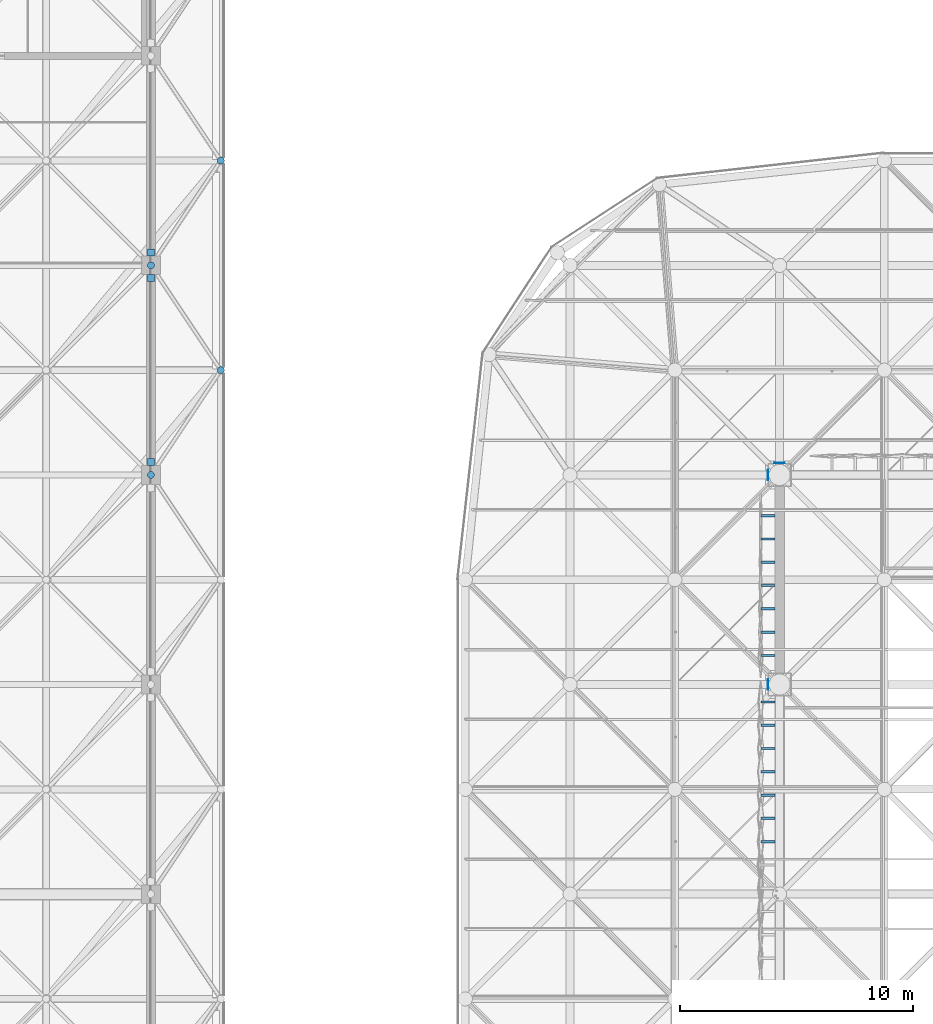
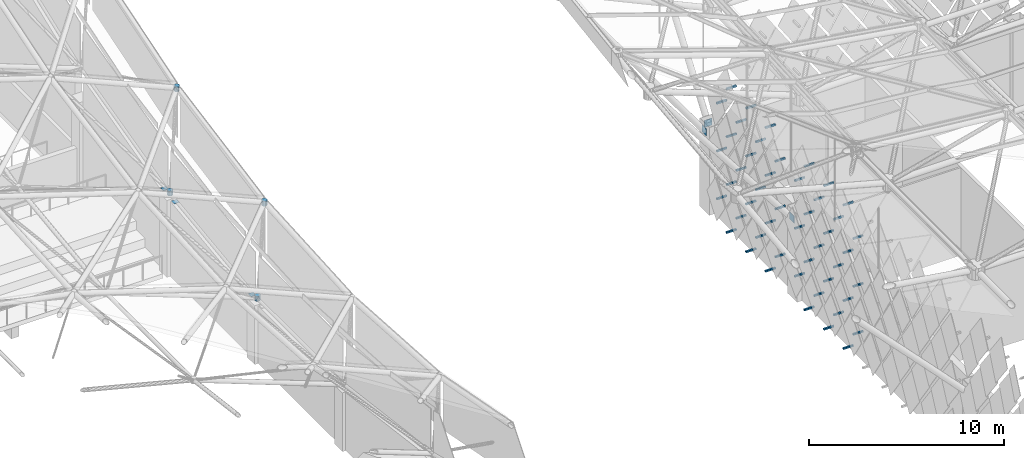
# One storey, part 382 of 437: 58 discrete accessories.
"""IFC4 building model written with IfcOpenShell, lengths in metres."""

from ifc_helpers import new_model, si_unit, direction, frame, origin, origin_2d, place, context, subcontext, project, spatial, polyline, rectangle, outline, extrude, material, layer, layer_set, type_object, element, save


model = new_model("IFC4")

# Units and contexts
model_context = context("Model", 3, precision=1e-05, world=origin(), true_north=direction((0.0, 1.0)))
body_context = subcontext(model_context, "Body", "Model", "MODEL_VIEW")
ifc_project = project(units=[si_unit("LENGTHUNIT", "METRE"), si_unit("AREAUNIT", "SQUARE_METRE"), si_unit("VOLUMEUNIT", "CUBIC_METRE"), si_unit("PLANEANGLEUNIT", "RADIAN"), si_unit("MASSUNIT", "GRAM", prefix="KILO")], contexts=[model_context])

# Site, building, storey
site_placement = place(None, origin())
site = spatial("IfcSite", under=ifc_project, at=site_placement, CompositionType="ELEMENT")
building_placement = place(site_placement, origin())
building = spatial("IfcBuilding", under=site, at=building_placement, Name="Opaline Strait Convention Centre", CompositionType="ELEMENT")
storey_placement = place(building_placement, frame((0.0, 0.0, 11.5)))
storey = spatial("IfcBuildingStorey", under=building, at=storey_placement, Name="L02", CompositionType="ELEMENT", Elevation=11.5)

# Discrete accessories
ifc_material_1 = material(Name="Steel Q355B", Category="steel")
ifc_layer_1 = layer(ifc_material_1, 0.02001953125)
ifc_layer_set_1 = layer_set([ifc_layer_1], Name="Steel Q355B")
discrete_accessory_type_1 = type_object("IfcDiscreteAccessoryType", Name="Cast-in anchor plate 300 x 300 x 20", PredefinedType="ANCHORPLATE", material=ifc_layer_set_1)
for number, where, z_axis, x_axis, name in (
    (1, (72.0, 153.5498046875, 3.671875), (0.0, 0.0, 1.0), (1.0, 0.0, 0.0), "Cast-in anchor plate at PWB1 web 8-5ad"),
    (2, (72.0, 161.4501953125, 4.70068359375), (0.0, 0.0, 1.0), (1.0, 0.0, 0.0), "Cast-in anchor plate at PWB1 web 8-6ac"),
    (3, (72.0, 162.5498046875, 4.854736328125), (0.0, 0.0, 1.0), (1.0, 0.0, 0.0), "Cast-in anchor plate at PWB1 web 8-6ad"),
):
    element("IfcDiscreteAccessory", number, at=place(storey_placement, frame(where, z_axis=z_axis, x_axis=x_axis)), inside=storey, type_object=discrete_accessory_type_1, Name=name, PredefinedType="ANCHORPLATE", context=body_context, shape_type="SweptSolid", body=[
        extrude(rectangle(XDim=0.300048828125, YDim=0.300048828125, at=origin_2d()), origin(), (0.0, 0.0, 1.0), 0.02001953125),
    ])
ifc_material_2 = material(Name="Structural steel Q355B", Category="steel")
ifc_layer_2 = layer(ifc_material_2, 0.01611328125)
ifc_layer_set_2 = layer_set([ifc_layer_2], Name="Structural steel Q355B")
discrete_accessory_type_2 = type_object("IfcDiscreteAccessoryType", Name="Prop bearing plate 450 x 450 x 16", PredefinedType="ANCHORPLATE", material=ifc_layer_set_2)
discrete_accessory_1_placement = place(storey_placement, frame((0.0, 0.0, 4.79541015625)))
element("IfcDiscreteAccessory", 4, at=discrete_accessory_1_placement, inside=storey, type_object=discrete_accessory_type_2, Name="Prop bearing plate 99/144 W", PredefinedType="ANCHORPLATE", context=body_context, shape_type="SweptSolid", body=[
    extrude(outline(polyline([(98.48388671875, 143.77490234375), (98.5, 143.77490234375), (98.5, 144.22509765625), (98.48388671875, 144.22509765625), (98.48388671875, 143.77490234375)])), origin(), (0.0, 0.0, 1.0), 0.4501953125),
])
discrete_accessory_2_placement = place(storey_placement, frame((0.0, 0.0, 4.796875)))
element("IfcDiscreteAccessory", 5, at=discrete_accessory_2_placement, inside=storey, type_object=discrete_accessory_type_2, Name="Prop bearing plate 99/153 N", PredefinedType="ANCHORPLATE", context=body_context, shape_type="SweptSolid", body=[
    extrude(outline(polyline([(98.77490234375, 153.5), (99.22509765625, 153.5), (99.22509765625, 153.51611328125), (98.77490234375, 153.51611328125), (98.77490234375, 153.5)])), origin(), (0.0, 0.0, 1.0), 0.449951171875),
])
discrete_accessory_3_placement = place(storey_placement, frame((0.0, 0.0, 4.796875)))
element("IfcDiscreteAccessory", 6, at=discrete_accessory_3_placement, inside=storey, type_object=discrete_accessory_type_2, Name="Prop bearing plate 99/153 W", PredefinedType="ANCHORPLATE", context=body_context, shape_type="SweptSolid", body=[
    extrude(outline(polyline([(98.48388671875, 152.77490234375), (98.5, 152.77490234375), (98.5, 153.22509765625), (98.48388671875, 153.22509765625), (98.48388671875, 152.77490234375)])), origin(), (0.0, 0.0, 1.0), 0.449951171875),
])
ifc_material_3 = material(Name="Cast steel ZG300-500H (300 MPa)", Category="steel")
discrete_accessory_type_3 = type_object("IfcDiscreteAccessoryType", Name="Shell node hub D300 cast steel", PredefinedType="USERDEFINED", material=ifc_material_3)
discrete_accessory_4_placement = place(storey_placement, frame((0.0, 0.0, 3.682861328125)))
element("IfcDiscreteAccessory", 7, at=discrete_accessory_4_placement, inside=storey, type_object=discrete_accessory_type_3, Name="PNH1 node hub B8-5", ObjectType="NODE HUB", PredefinedType="USERDEFINED", context=body_context, shape_type="SweptSolid", body=[
    extrude(outline(polyline([(72.14990234375, 153.02978515625), (72.127197265625, 153.0849609375), (72.0849609375, 153.127197265625), (72.02978515625, 153.14990234375), (71.97021484375, 153.14990234375), (71.9150390625, 153.127197265625), (71.872802734375, 153.0849609375), (71.85009765625, 153.02978515625), (71.85009765625, 152.97021484375), (71.872802734375, 152.9150390625), (71.9150390625, 152.872802734375), (71.97021484375, 152.85009765625), (72.02978515625, 152.85009765625), (72.0849609375, 152.872802734375), (72.127197265625, 152.9150390625), (72.14990234375, 152.97021484375), (72.14990234375, 153.02978515625)])), origin(), (0.0, 0.0, 1.0), 0.31005859375),
])
discrete_accessory_5_placement = place(storey_placement, frame((0.0, 0.0, 4.82568359375)))
element("IfcDiscreteAccessory", 8, at=discrete_accessory_5_placement, inside=storey, type_object=discrete_accessory_type_3, Name="PNH1 node hub B8-6", ObjectType="NODE HUB", PredefinedType="USERDEFINED", context=body_context, shape_type="SweptSolid", body=[
    extrude(outline(polyline([(72.14990234375, 162.02978515625), (72.127197265625, 162.0849609375), (72.0849609375, 162.127197265625), (72.02978515625, 162.14990234375), (71.97021484375, 162.14990234375), (71.9150390625, 162.127197265625), (71.872802734375, 162.0849609375), (71.85009765625, 162.02978515625), (71.85009765625, 161.97021484375), (71.872802734375, 161.9150390625), (71.9150390625, 161.872802734375), (71.97021484375, 161.85009765625), (72.02978515625, 161.85009765625), (72.0849609375, 161.872802734375), (72.127197265625, 161.9150390625), (72.14990234375, 161.97021484375), (72.14990234375, 162.02978515625)])), origin(), (0.0, 0.0, 1.0), 0.31005859375),
])
discrete_accessory_6_placement = place(storey_placement, frame((0.0, 0.0, 5.864501953125)))
element("IfcDiscreteAccessory", 9, at=discrete_accessory_6_placement, inside=storey, type_object=discrete_accessory_type_3, Name="PNH1 node hub T9-6", ObjectType="NODE HUB", PredefinedType="USERDEFINED", context=body_context, shape_type="SweptSolid", body=[
    extrude(outline(polyline([(75.14990234375, 157.52978515625), (75.127197265625, 157.5849609375), (75.0849609375, 157.627197265625), (75.02978515625, 157.64990234375), (74.97021484375, 157.64990234375), (74.9150390625, 157.627197265625), (74.872802734375, 157.5849609375), (74.85009765625, 157.52978515625), (74.85009765625, 157.47021484375), (74.872802734375, 157.4150390625), (74.9150390625, 157.372802734375), (74.97021484375, 157.35009765625), (75.02978515625, 157.35009765625), (75.0849609375, 157.372802734375), (75.127197265625, 157.4150390625), (75.14990234375, 157.47021484375), (75.14990234375, 157.52978515625)])), origin(), (0.0, 0.0, 1.0), 0.31005859375),
])
discrete_accessory_7_placement = place(storey_placement, frame((0.0, 0.0, 7.578857421875)))
element("IfcDiscreteAccessory", 10, at=discrete_accessory_7_placement, inside=storey, type_object=discrete_accessory_type_3, Name="PNH1 node hub T9-7", ObjectType="NODE HUB", PredefinedType="USERDEFINED", context=body_context, shape_type="SweptSolid", body=[
    extrude(outline(polyline([(75.14990234375, 166.52978515625), (75.127197265625, 166.5849609375), (75.0849609375, 166.627197265625), (75.02978515625, 166.64990234375), (74.97021484375, 166.64990234375), (74.9150390625, 166.627197265625), (74.872802734375, 166.5849609375), (74.85009765625, 166.52978515625), (74.85009765625, 166.47021484375), (74.872802734375, 166.4150390625), (74.9150390625, 166.372802734375), (74.97021484375, 166.35009765625), (75.02978515625, 166.35009765625), (75.0849609375, 166.372802734375), (75.127197265625, 166.4150390625), (75.14990234375, 166.47021484375), (75.14990234375, 166.52978515625)])), origin(), (0.0, 0.0, 1.0), 0.31005859375),
])
discrete_accessory_type_4 = type_object("IfcDiscreteAccessoryType", Name="Tile bracket 100x100 steel", PredefinedType="BRACKET", material=ifc_material_1)
discrete_accessory_8_placement = place(storey_placement, frame((98.800048828125, 150.300048828125, 0.39208984375), z_axis=(0.0, -1.0, 0.0), x_axis=(1.0, 0.0, 0.0)))
element("IfcDiscreteAccessory", 11, at=discrete_accessory_8_placement, inside=storey, type_object=discrete_accessory_type_4, Name="Tile bracket XT03 W", PredefinedType="BRACKET", context=body_context, shape_type="SweptSolid", body=[
    extrude(outline(polyline([(0.0, -0.050048828125), (0.0, 0.050048828125), (-0.601318359375, 0.050048828125), (-0.5986328125, -0.050048828125), (0.0, -0.050048828125)])), origin(), (0.0, 0.0, 1.0), 0.10009765625),
])
discrete_accessory_9_placement = place(storey_placement, frame((98.800048828125, 148.300048828125, 0.39208984375), z_axis=(0.0, -1.0, 0.0), x_axis=(1.0, 0.0, 0.0)))
element("IfcDiscreteAccessory", 12, at=discrete_accessory_9_placement, inside=storey, type_object=discrete_accessory_type_4, Name="Tile bracket XT06 W", PredefinedType="BRACKET", context=body_context, shape_type="SweptSolid", body=[
    extrude(outline(polyline([(0.0, -0.050048828125), (0.0, 0.050048828125), (-0.6025390625, 0.050048828125), (-0.597412109375, -0.050048828125), (0.0, -0.050048828125)])), origin(), (0.0, 0.0, 1.0), 0.10009765625),
])
discrete_accessory_10_placement = place(storey_placement, frame((98.800048828125, 146.300048828125, 0.39208984375), z_axis=(0.0, -1.0, 0.0), x_axis=(1.0, 0.0, 0.0)))
element("IfcDiscreteAccessory", 13, at=discrete_accessory_10_placement, inside=storey, type_object=discrete_accessory_type_4, Name="Tile bracket XT07 W", PredefinedType="BRACKET", context=body_context, shape_type="SweptSolid", body=[
    extrude(outline(polyline([(0.0, -0.050048828125), (0.0, 0.050048828125), (-0.60302734375, 0.050048828125), (-0.596923828125, -0.050048828125), (0.0, -0.050048828125)])), origin(), (0.0, 0.0, 1.0), 0.10009765625),
])
discrete_accessory_11_placement = place(storey_placement, frame((98.800048828125, 142.300048828125, 0.39208984375), z_axis=(0.0, -1.0, 0.0), x_axis=(1.0, 0.0, 0.0)))
element("IfcDiscreteAccessory", 14, at=discrete_accessory_11_placement, inside=storey, type_object=discrete_accessory_type_4, Name="Tile bracket XT09 W", PredefinedType="BRACKET", context=body_context, shape_type="SweptSolid", body=[
    extrude(outline(polyline([(0.0, -0.050048828125), (0.0, 0.050048828125), (-0.60400390625, 0.050048828125), (-0.595947265625, -0.050048828125), (0.0, -0.050048828125)])), origin(), (0.0, 0.0, 1.0), 0.10009765625),
])
discrete_accessory_12_placement = place(storey_placement, frame((98.800048828125, 140.300048828125, 0.39208984375), z_axis=(0.0, -1.0, 0.0), x_axis=(1.0, 0.0, 0.0)))
element("IfcDiscreteAccessory", 15, at=discrete_accessory_12_placement, inside=storey, type_object=discrete_accessory_type_4, Name="Tile bracket XT08 W", PredefinedType="BRACKET", context=body_context, shape_type="SweptSolid", body=[
    extrude(outline(polyline([(0.0, -0.050048828125), (0.0, 0.050048828125), (-0.603515625, 0.050048828125), (-0.596435546875, -0.050048828125), (0.0, -0.050048828125)])), origin(), (0.0, 0.0, 1.0), 0.10009765625),
])
discrete_accessory_13_placement = place(storey_placement, frame((98.800048828125, 138.300048828125, 0.39208984375), z_axis=(0.0, -1.0, 0.0), x_axis=(1.0, 0.0, 0.0)))
element("IfcDiscreteAccessory", 16, at=discrete_accessory_13_placement, inside=storey, type_object=discrete_accessory_type_4, Name="Tile bracket XT06 W", PredefinedType="BRACKET", context=body_context, shape_type="SweptSolid", body=[
    extrude(outline(polyline([(0.0, -0.050048828125), (0.0, 0.050048828125), (-0.6025390625, 0.050048828125), (-0.597412109375, -0.050048828125), (0.0, -0.050048828125)])), origin(), (0.0, 0.0, 1.0), 0.10009765625),
])
discrete_accessory_14_placement = place(storey_placement, frame((98.800048828125, 151.300048828125, 1.89208984375), z_axis=(0.0, -1.0, 0.0), x_axis=(1.0, 0.0, 0.0)))
element("IfcDiscreteAccessory", 17, at=discrete_accessory_14_placement, inside=storey, type_object=discrete_accessory_type_4, Name="Tile bracket XT02 W", PredefinedType="BRACKET", context=body_context, shape_type="SweptSolid", body=[
    extrude(outline(polyline([(0.0, -0.050048828125), (0.0, 0.050048828125), (-0.600830078125, 0.050048828125), (-0.59912109375, -0.050048828125), (0.0, -0.050048828125)])), origin(), (0.0, 0.0, 1.0), 0.10009765625),
])
discrete_accessory_15_placement = place(storey_placement, frame((98.800048828125, 149.300048828125, 1.89208984375), z_axis=(0.0, -1.0, 0.0), x_axis=(1.0, 0.0, 0.0)))
element("IfcDiscreteAccessory", 18, at=discrete_accessory_15_placement, inside=storey, type_object=discrete_accessory_type_4, Name="Tile bracket XT03 W", PredefinedType="BRACKET", context=body_context, shape_type="SweptSolid", body=[
    extrude(outline(polyline([(0.0, -0.050048828125), (0.0, 0.050048828125), (-0.601318359375, 0.050048828125), (-0.5986328125, -0.050048828125), (0.0, -0.050048828125)])), origin(), (0.0, 0.0, 1.0), 0.10009765625),
])
discrete_accessory_16_placement = place(storey_placement, frame((98.800048828125, 147.300048828125, 1.89208984375), z_axis=(0.0, -1.0, 0.0), x_axis=(1.0, 0.0, 0.0)))
element("IfcDiscreteAccessory", 19, at=discrete_accessory_16_placement, inside=storey, type_object=discrete_accessory_type_4, Name="Tile bracket XT06 W", PredefinedType="BRACKET", context=body_context, shape_type="SweptSolid", body=[
    extrude(outline(polyline([(0.0, -0.050048828125), (0.0, 0.050048828125), (-0.6025390625, 0.050048828125), (-0.597412109375, -0.050048828125), (0.0, -0.050048828125)])), origin(), (0.0, 0.0, 1.0), 0.10009765625),
])
discrete_accessory_17_placement = place(storey_placement, frame((98.800048828125, 145.300048828125, 1.89208984375), z_axis=(0.0, -1.0, 0.0), x_axis=(1.0, 0.0, 0.0)))
element("IfcDiscreteAccessory", 20, at=discrete_accessory_17_placement, inside=storey, type_object=discrete_accessory_type_4, Name="Tile bracket XT08 W", PredefinedType="BRACKET", context=body_context, shape_type="SweptSolid", body=[
    extrude(outline(polyline([(0.0, -0.050048828125), (0.0, 0.050048828125), (-0.603515625, 0.050048828125), (-0.596435546875, -0.050048828125), (0.0, -0.050048828125)])), origin(), (0.0, 0.0, 1.0), 0.10009765625),
])
discrete_accessory_18_placement = place(storey_placement, frame((98.800048828125, 143.300048828125, 1.89208984375), z_axis=(0.0, -1.0, 0.0), x_axis=(1.0, 0.0, 0.0)))
element("IfcDiscreteAccessory", 21, at=discrete_accessory_18_placement, inside=storey, type_object=discrete_accessory_type_4, Name="Tile bracket XT09 W", PredefinedType="BRACKET", context=body_context, shape_type="SweptSolid", body=[
    extrude(outline(polyline([(0.0, -0.050048828125), (0.0, 0.050048828125), (-0.60400390625, 0.050048828125), (-0.595947265625, -0.050048828125), (0.0, -0.050048828125)])), origin(), (0.0, 0.0, 1.0), 0.10009765625),
])
discrete_accessory_19_placement = place(storey_placement, frame((98.800048828125, 141.300048828125, 1.89208984375), z_axis=(0.0, -1.0, 0.0), x_axis=(1.0, 0.0, 0.0)))
element("IfcDiscreteAccessory", 22, at=discrete_accessory_19_placement, inside=storey, type_object=discrete_accessory_type_4, Name="Tile bracket XT10 W", PredefinedType="BRACKET", context=body_context, shape_type="SweptSolid", body=[
    extrude(outline(polyline([(0.0, -0.050048828125), (0.0, 0.050048828125), (-0.604248046875, 0.050048828125), (-0.595703125, -0.050048828125), (0.0, -0.050048828125)])), origin(), (0.0, 0.0, 1.0), 0.10009765625),
])
discrete_accessory_20_placement = place(storey_placement, frame((98.800048828125, 139.300048828125, 1.89208984375), z_axis=(0.0, -1.0, 0.0), x_axis=(1.0, 0.0, 0.0)))
element("IfcDiscreteAccessory", 23, at=discrete_accessory_20_placement, inside=storey, type_object=discrete_accessory_type_4, Name="Tile bracket XT09 W", PredefinedType="BRACKET", context=body_context, shape_type="SweptSolid", body=[
    extrude(outline(polyline([(0.0, -0.050048828125), (0.0, 0.050048828125), (-0.60400390625, 0.050048828125), (-0.595947265625, -0.050048828125), (0.0, -0.050048828125)])), origin(), (0.0, 0.0, 1.0), 0.10009765625),
])
discrete_accessory_21_placement = place(storey_placement, frame((98.800048828125, 137.300048828125, 1.89208984375), z_axis=(0.0, -1.0, 0.0), x_axis=(1.0, 0.0, 0.0)))
element("IfcDiscreteAccessory", 24, at=discrete_accessory_21_placement, inside=storey, type_object=discrete_accessory_type_4, Name="Tile bracket XT06 W", PredefinedType="BRACKET", context=body_context, shape_type="SweptSolid", body=[
    extrude(outline(polyline([(0.0, -0.050048828125), (0.0, 0.050048828125), (-0.6025390625, 0.050048828125), (-0.597412109375, -0.050048828125), (0.0, -0.050048828125)])), origin(), (0.0, 0.0, 1.0), 0.10009765625),
])
discrete_accessory_22_placement = place(storey_placement, frame((98.800048828125, 150.300048828125, 3.39208984375), z_axis=(0.0, -1.0, 0.0), x_axis=(1.0, 0.0, 0.0)))
element("IfcDiscreteAccessory", 25, at=discrete_accessory_22_placement, inside=storey, type_object=discrete_accessory_type_4, Name="Tile bracket XT02 W", PredefinedType="BRACKET", context=body_context, shape_type="SweptSolid", body=[
    extrude(outline(polyline([(0.0, -0.050048828125), (0.0, 0.050048828125), (-0.600830078125, 0.050048828125), (-0.59912109375, -0.050048828125), (0.0, -0.050048828125)])), origin(), (0.0, 0.0, 1.0), 0.10009765625),
])
discrete_accessory_23_placement = place(storey_placement, frame((98.800048828125, 148.300048828125, 3.39208984375), z_axis=(0.0, -1.0, 0.0), x_axis=(1.0, 0.0, 0.0)))
element("IfcDiscreteAccessory", 26, at=discrete_accessory_23_placement, inside=storey, type_object=discrete_accessory_type_4, Name="Tile bracket XT03 W", PredefinedType="BRACKET", context=body_context, shape_type="SweptSolid", body=[
    extrude(outline(polyline([(0.0, -0.050048828125), (0.0, 0.050048828125), (-0.601318359375, 0.050048828125), (-0.5986328125, -0.050048828125), (0.0, -0.050048828125)])), origin(), (0.0, 0.0, 1.0), 0.10009765625),
])
discrete_accessory_24_placement = place(storey_placement, frame((98.800048828125, 146.300048828125, 3.39208984375), z_axis=(0.0, -1.0, 0.0), x_axis=(1.0, 0.0, 0.0)))
element("IfcDiscreteAccessory", 27, at=discrete_accessory_24_placement, inside=storey, type_object=discrete_accessory_type_4, Name="Tile bracket XT06 W", PredefinedType="BRACKET", context=body_context, shape_type="SweptSolid", body=[
    extrude(outline(polyline([(0.0, -0.050048828125), (0.0, 0.050048828125), (-0.6025390625, 0.050048828125), (-0.597412109375, -0.050048828125), (0.0, -0.050048828125)])), origin(), (0.0, 0.0, 1.0), 0.10009765625),
])
for number, where, z_axis, x_axis, name in (
    (28, (98.800048828125, 142.300048828125, 3.39208984375), (0.0, -1.0, 0.0), (1.0, 0.0, 0.0), "Tile bracket XT10 W"),
    (29, (98.800048828125, 140.300048828125, 3.39208984375), (0.0, -1.0, 0.0), (1.0, 0.0, 0.0), "Tile bracket XT10 W"),
):
    element("IfcDiscreteAccessory", number, at=place(storey_placement, frame(where, z_axis=z_axis, x_axis=x_axis)), inside=storey, type_object=discrete_accessory_type_4, Name=name, PredefinedType="BRACKET", context=body_context, shape_type="SweptSolid", body=[
        extrude(outline(polyline([(0.0, -0.050048828125), (0.0, 0.050048828125), (-0.604248046875, 0.050048828125), (-0.595703125, -0.050048828125), (0.0, -0.050048828125)])), origin(), (0.0, 0.0, 1.0), 0.10009765625),
    ])
discrete_accessory_25_placement = place(storey_placement, frame((98.800048828125, 138.300048828125, 3.39208984375), z_axis=(0.0, -1.0, 0.0), x_axis=(1.0, 0.0, 0.0)))
element("IfcDiscreteAccessory", 30, at=discrete_accessory_25_placement, inside=storey, type_object=discrete_accessory_type_4, Name="Tile bracket XT09 W", PredefinedType="BRACKET", context=body_context, shape_type="SweptSolid", body=[
    extrude(outline(polyline([(0.0, -0.050048828125), (0.0, 0.050048828125), (-0.60400390625, 0.050048828125), (-0.595947265625, -0.050048828125), (0.0, -0.050048828125)])), origin(), (0.0, 0.0, 1.0), 0.10009765625),
])
discrete_accessory_26_placement = place(storey_placement, frame((98.800048828125, 151.300048828125, 4.89208984375), z_axis=(0.0, -1.0, 0.0), x_axis=(1.0, 0.0, 0.0)))
element("IfcDiscreteAccessory", 31, at=discrete_accessory_26_placement, inside=storey, type_object=discrete_accessory_type_4, Name="Tile bracket XT02 W", PredefinedType="BRACKET", context=body_context, shape_type="SweptSolid", body=[
    extrude(outline(polyline([(0.0, -0.050048828125), (0.0, 0.050048828125), (-0.59912109375, 0.050048828125), (-0.600830078125, -0.050048828125), (0.0, -0.050048828125)])), origin(), (0.0, 0.0, 1.0), 0.10009765625),
])
discrete_accessory_27_placement = place(storey_placement, frame((98.800048828125, 149.300048828125, 4.89208984375), z_axis=(0.0, -1.0, 0.0), x_axis=(1.0, 0.0, 0.0)))
element("IfcDiscreteAccessory", 32, at=discrete_accessory_27_placement, inside=storey, type_object=discrete_accessory_type_4, Name="Tile bracket XT02 W", PredefinedType="BRACKET", context=body_context, shape_type="SweptSolid", body=[
    extrude(outline(polyline([(0.0, -0.050048828125), (0.0, 0.050048828125), (-0.600830078125, 0.050048828125), (-0.59912109375, -0.050048828125), (0.0, -0.050048828125)])), origin(), (0.0, 0.0, 1.0), 0.10009765625),
])
discrete_accessory_28_placement = place(storey_placement, frame((98.800048828125, 147.300048828125, 4.89208984375), z_axis=(0.0, -1.0, 0.0), x_axis=(1.0, 0.0, 0.0)))
element("IfcDiscreteAccessory", 33, at=discrete_accessory_28_placement, inside=storey, type_object=discrete_accessory_type_4, Name="Tile bracket XT03 W", PredefinedType="BRACKET", context=body_context, shape_type="SweptSolid", body=[
    extrude(outline(polyline([(0.0, -0.050048828125), (0.0, 0.050048828125), (-0.601318359375, 0.050048828125), (-0.5986328125, -0.050048828125), (0.0, -0.050048828125)])), origin(), (0.0, 0.0, 1.0), 0.10009765625),
])
discrete_accessory_29_placement = place(storey_placement, frame((98.800048828125, 145.300048828125, 4.89208984375), z_axis=(0.0, -1.0, 0.0), x_axis=(1.0, 0.0, 0.0)))
element("IfcDiscreteAccessory", 34, at=discrete_accessory_29_placement, inside=storey, type_object=discrete_accessory_type_4, Name="Tile bracket XT06 W", PredefinedType="BRACKET", context=body_context, shape_type="SweptSolid", body=[
    extrude(outline(polyline([(0.0, -0.050048828125), (0.0, 0.050048828125), (-0.6025390625, 0.050048828125), (-0.597412109375, -0.050048828125), (0.0, -0.050048828125)])), origin(), (0.0, 0.0, 1.0), 0.10009765625),
])
discrete_accessory_30_placement = place(storey_placement, frame((98.800048828125, 143.300048828125, 4.89208984375), z_axis=(0.0, -1.0, 0.0), x_axis=(1.0, 0.0, 0.0)))
element("IfcDiscreteAccessory", 35, at=discrete_accessory_30_placement, inside=storey, type_object=discrete_accessory_type_4, Name="Tile bracket XT08 W", PredefinedType="BRACKET", context=body_context, shape_type="SweptSolid", body=[
    extrude(outline(polyline([(0.0, -0.050048828125), (0.0, 0.050048828125), (-0.603515625, 0.050048828125), (-0.596435546875, -0.050048828125), (0.0, -0.050048828125)])), origin(), (0.0, 0.0, 1.0), 0.10009765625),
])
discrete_accessory_31_placement = place(storey_placement, frame((98.800048828125, 141.300048828125, 4.89208984375), z_axis=(0.0, -1.0, 0.0), x_axis=(1.0, 0.0, 0.0)))
element("IfcDiscreteAccessory", 36, at=discrete_accessory_31_placement, inside=storey, type_object=discrete_accessory_type_4, Name="Tile bracket XT10 W", PredefinedType="BRACKET", context=body_context, shape_type="SweptSolid", body=[
    extrude(outline(polyline([(0.0, -0.050048828125), (0.0, 0.050048828125), (-0.604248046875, 0.050048828125), (-0.595703125, -0.050048828125), (0.0, -0.050048828125)])), origin(), (0.0, 0.0, 1.0), 0.10009765625),
])
discrete_accessory_32_placement = place(storey_placement, frame((98.800048828125, 139.300048828125, 4.89208984375), z_axis=(0.0, -1.0, 0.0), x_axis=(1.0, 0.0, 0.0)))
element("IfcDiscreteAccessory", 37, at=discrete_accessory_32_placement, inside=storey, type_object=discrete_accessory_type_4, Name="Tile bracket XT11 W", PredefinedType="BRACKET", context=body_context, shape_type="SweptSolid", body=[
    extrude(outline(polyline([(0.0, -0.050048828125), (0.0, 0.050048828125), (-0.604736328125, 0.050048828125), (-0.59521484375, -0.050048828125), (0.0, -0.050048828125)])), origin(), (0.0, 0.0, 1.0), 0.10009765625),
])
discrete_accessory_33_placement = place(storey_placement, frame((98.800048828125, 137.300048828125, 4.89208984375), z_axis=(0.0, -1.0, 0.0), x_axis=(1.0, 0.0, 0.0)))
element("IfcDiscreteAccessory", 38, at=discrete_accessory_33_placement, inside=storey, type_object=discrete_accessory_type_4, Name="Tile bracket XT09 W", PredefinedType="BRACKET", context=body_context, shape_type="SweptSolid", body=[
    extrude(outline(polyline([(0.0, -0.050048828125), (0.0, 0.050048828125), (-0.60400390625, 0.050048828125), (-0.595947265625, -0.050048828125), (0.0, -0.050048828125)])), origin(), (0.0, 0.0, 1.0), 0.10009765625),
])
discrete_accessory_34_placement = place(storey_placement, frame((98.800048828125, 150.300048828125, 6.39208984375), z_axis=(0.0, -1.0, 0.0), x_axis=(1.0, 0.0, 0.0)))
element("IfcDiscreteAccessory", 39, at=discrete_accessory_34_placement, inside=storey, type_object=discrete_accessory_type_4, Name="Tile bracket XT02 W", PredefinedType="BRACKET", context=body_context, shape_type="SweptSolid", body=[
    extrude(outline(polyline([(0.0, -0.050048828125), (0.0, 0.050048828125), (-0.59912109375, 0.050048828125), (-0.600830078125, -0.050048828125), (0.0, -0.050048828125)])), origin(), (0.0, 0.0, 1.0), 0.10009765625),
])
for number, where, z_axis, x_axis, name in (
    (40, (98.800048828125, 148.300048828125, 6.39208984375), (0.0, -1.0, 0.0), (1.0, 0.0, 0.0), "Tile bracket XT03 W"),
    (41, (98.800048828125, 146.300048828125, 6.39208984375), (0.0, -1.0, 0.0), (1.0, 0.0, 0.0), "Tile bracket XT03 W"),
):
    element("IfcDiscreteAccessory", number, at=place(storey_placement, frame(where, z_axis=z_axis, x_axis=x_axis)), inside=storey, type_object=discrete_accessory_type_4, Name=name, PredefinedType="BRACKET", context=body_context, shape_type="SweptSolid", body=[
        extrude(outline(polyline([(0.0, -0.050048828125), (0.0, 0.050048828125), (-0.601318359375, 0.050048828125), (-0.5986328125, -0.050048828125), (0.0, -0.050048828125)])), origin(), (0.0, 0.0, 1.0), 0.10009765625),
    ])
discrete_accessory_35_placement = place(storey_placement, frame((98.800048828125, 142.300048828125, 6.39208984375), z_axis=(0.0, -1.0, 0.0), x_axis=(1.0, 0.0, 0.0)))
element("IfcDiscreteAccessory", 42, at=discrete_accessory_35_placement, inside=storey, type_object=discrete_accessory_type_4, Name="Tile bracket XT09 W", PredefinedType="BRACKET", context=body_context, shape_type="SweptSolid", body=[
    extrude(outline(polyline([(0.0, -0.050048828125), (0.0, 0.050048828125), (-0.60400390625, 0.050048828125), (-0.595947265625, -0.050048828125), (0.0, -0.050048828125)])), origin(), (0.0, 0.0, 1.0), 0.10009765625),
])
discrete_accessory_36_placement = place(storey_placement, frame((98.800048828125, 140.300048828125, 6.39208984375), z_axis=(0.0, -1.0, 0.0), x_axis=(1.0, 0.0, 0.0)))
element("IfcDiscreteAccessory", 43, at=discrete_accessory_36_placement, inside=storey, type_object=discrete_accessory_type_4, Name="Tile bracket XT10 W", PredefinedType="BRACKET", context=body_context, shape_type="SweptSolid", body=[
    extrude(outline(polyline([(0.0, -0.050048828125), (0.0, 0.050048828125), (-0.604248046875, 0.050048828125), (-0.595703125, -0.050048828125), (0.0, -0.050048828125)])), origin(), (0.0, 0.0, 1.0), 0.10009765625),
])
discrete_accessory_37_placement = place(storey_placement, frame((98.800048828125, 138.300048828125, 6.39208984375), z_axis=(0.0, -1.0, 0.0), x_axis=(1.0, 0.0, 0.0)))
element("IfcDiscreteAccessory", 44, at=discrete_accessory_37_placement, inside=storey, type_object=discrete_accessory_type_4, Name="Tile bracket XT11 W", PredefinedType="BRACKET", context=body_context, shape_type="SweptSolid", body=[
    extrude(outline(polyline([(0.0, -0.050048828125), (0.0, 0.050048828125), (-0.604736328125, 0.050048828125), (-0.59521484375, -0.050048828125), (0.0, -0.050048828125)])), origin(), (0.0, 0.0, 1.0), 0.10009765625),
])
discrete_accessory_38_placement = place(storey_placement, frame((98.800048828125, 151.300048828125, 7.89208984375), z_axis=(0.0, -1.0, 0.0), x_axis=(1.0, 0.0, 0.0)))
element("IfcDiscreteAccessory", 45, at=discrete_accessory_38_placement, inside=storey, type_object=discrete_accessory_type_4, Name="Tile bracket XT04 W", PredefinedType="BRACKET", context=body_context, shape_type="SweptSolid", body=[
    extrude(outline(polyline([(0.0, -0.050048828125), (0.0, 0.050048828125), (-0.59814453125, 0.050048828125), (-0.601806640625, -0.050048828125), (0.0, -0.050048828125)])), origin(), (0.0, 0.0, 1.0), 0.10009765625),
])
discrete_accessory_39_placement = place(storey_placement, frame((98.800048828125, 149.300048828125, 7.89208984375), z_axis=(0.0, -1.0, 0.0), x_axis=(1.0, 0.0, 0.0)))
element("IfcDiscreteAccessory", 46, at=discrete_accessory_39_placement, inside=storey, type_object=discrete_accessory_type_4, Name="Tile bracket XT02 W", PredefinedType="BRACKET", context=body_context, shape_type="SweptSolid", body=[
    extrude(outline(polyline([(0.0, -0.050048828125), (0.0, 0.050048828125), (-0.59912109375, 0.050048828125), (-0.600830078125, -0.050048828125), (0.0, -0.050048828125)])), origin(), (0.0, 0.0, 1.0), 0.10009765625),
])
for number, where, z_axis, x_axis, name in (
    (47, (98.800048828125, 147.300048828125, 7.89208984375), (0.0, -1.0, 0.0), (1.0, 0.0, 0.0), "Tile bracket XT03 W"),
    (48, (98.800048828125, 145.300048828125, 7.89208984375), (0.0, -1.0, 0.0), (1.0, 0.0, 0.0), "Tile bracket XT03 W"),
):
    element("IfcDiscreteAccessory", number, at=place(storey_placement, frame(where, z_axis=z_axis, x_axis=x_axis)), inside=storey, type_object=discrete_accessory_type_4, Name=name, PredefinedType="BRACKET", context=body_context, shape_type="SweptSolid", body=[
        extrude(outline(polyline([(0.0, -0.050048828125), (0.0, 0.050048828125), (-0.601318359375, 0.050048828125), (-0.5986328125, -0.050048828125), (0.0, -0.050048828125)])), origin(), (0.0, 0.0, 1.0), 0.10009765625),
    ])
discrete_accessory_40_placement = place(storey_placement, frame((98.800048828125, 143.300048828125, 7.89208984375), z_axis=(0.0, -1.0, 0.0), x_axis=(1.0, 0.0, 0.0)))
element("IfcDiscreteAccessory", 49, at=discrete_accessory_40_placement, inside=storey, type_object=discrete_accessory_type_4, Name="Tile bracket XT06 W", PredefinedType="BRACKET", context=body_context, shape_type="SweptSolid", body=[
    extrude(outline(polyline([(0.0, -0.050048828125), (0.0, 0.050048828125), (-0.6025390625, 0.050048828125), (-0.597412109375, -0.050048828125), (0.0, -0.050048828125)])), origin(), (0.0, 0.0, 1.0), 0.10009765625),
])
discrete_accessory_41_placement = place(storey_placement, frame((98.800048828125, 141.300048828125, 7.89208984375), z_axis=(0.0, -1.0, 0.0), x_axis=(1.0, 0.0, 0.0)))
element("IfcDiscreteAccessory", 50, at=discrete_accessory_41_placement, inside=storey, type_object=discrete_accessory_type_4, Name="Tile bracket XT09 W", PredefinedType="BRACKET", context=body_context, shape_type="SweptSolid", body=[
    extrude(outline(polyline([(0.0, -0.050048828125), (0.0, 0.050048828125), (-0.60400390625, 0.050048828125), (-0.595947265625, -0.050048828125), (0.0, -0.050048828125)])), origin(), (0.0, 0.0, 1.0), 0.10009765625),
])
for number, where, z_axis, x_axis, name in (
    (51, (98.800048828125, 139.300048828125, 7.89208984375), (0.0, -1.0, 0.0), (1.0, 0.0, 0.0), "Tile bracket XT11 W"),
    (52, (98.800048828125, 137.300048828125, 7.89208984375), (0.0, -1.0, 0.0), (1.0, 0.0, 0.0), "Tile bracket XT11 W"),
):
    element("IfcDiscreteAccessory", number, at=place(storey_placement, frame(where, z_axis=z_axis, x_axis=x_axis)), inside=storey, type_object=discrete_accessory_type_4, Name=name, PredefinedType="BRACKET", context=body_context, shape_type="SweptSolid", body=[
        extrude(outline(polyline([(0.0, -0.050048828125), (0.0, 0.050048828125), (-0.604736328125, 0.050048828125), (-0.59521484375, -0.050048828125), (0.0, -0.050048828125)])), origin(), (0.0, 0.0, 1.0), 0.10009765625),
    ])
discrete_accessory_42_placement = place(storey_placement, frame((98.800048828125, 150.300048828125, 9.39208984375), z_axis=(0.0, -1.0, 0.0), x_axis=(1.0, 0.0, 0.0)))
element("IfcDiscreteAccessory", 53, at=discrete_accessory_42_placement, inside=storey, type_object=discrete_accessory_type_4, Name="Tile bracket XT04 W", PredefinedType="BRACKET", context=body_context, shape_type="SweptSolid", body=[
    extrude(outline(polyline([(0.0, -0.050048828125), (0.0, 0.050048828125), (-0.59814453125, 0.050048828125), (-0.601806640625, -0.050048828125), (0.0, -0.050048828125)])), origin(), (0.0, 0.0, 1.0), 0.10009765625),
])
discrete_accessory_43_placement = place(storey_placement, frame((98.800048828125, 148.300048828125, 9.39208984375), z_axis=(0.0, -1.0, 0.0), x_axis=(1.0, 0.0, 0.0)))
element("IfcDiscreteAccessory", 54, at=discrete_accessory_43_placement, inside=storey, type_object=discrete_accessory_type_4, Name="Tile bracket XT03 W", PredefinedType="BRACKET", context=body_context, shape_type="SweptSolid", body=[
    extrude(outline(polyline([(0.0, -0.050048828125), (0.0, 0.050048828125), (-0.5986328125, 0.050048828125), (-0.601318359375, -0.050048828125), (0.0, -0.050048828125)])), origin(), (0.0, 0.0, 1.0), 0.10009765625),
])
discrete_accessory_44_placement = place(storey_placement, frame((98.800048828125, 146.300048828125, 9.39208984375), z_axis=(0.0, -1.0, 0.0), x_axis=(1.0, 0.0, 0.0)))
element("IfcDiscreteAccessory", 55, at=discrete_accessory_44_placement, inside=storey, type_object=discrete_accessory_type_4, Name="Tile bracket XT03 W", PredefinedType="BRACKET", context=body_context, shape_type="SweptSolid", body=[
    extrude(outline(polyline([(0.0, -0.050048828125), (0.0, 0.050048828125), (-0.601318359375, 0.050048828125), (-0.5986328125, -0.050048828125), (0.0, -0.050048828125)])), origin(), (0.0, 0.0, 1.0), 0.10009765625),
])
discrete_accessory_45_placement = place(storey_placement, frame((98.800048828125, 142.300048828125, 9.39208984375), z_axis=(0.0, -1.0, 0.0), x_axis=(1.0, 0.0, 0.0)))
element("IfcDiscreteAccessory", 56, at=discrete_accessory_45_placement, inside=storey, type_object=discrete_accessory_type_4, Name="Tile bracket XT07 W", PredefinedType="BRACKET", context=body_context, shape_type="SweptSolid", body=[
    extrude(outline(polyline([(0.0, -0.050048828125), (0.0, 0.050048828125), (-0.60302734375, 0.050048828125), (-0.596923828125, -0.050048828125), (0.0, -0.050048828125)])), origin(), (0.0, 0.0, 1.0), 0.10009765625),
])
discrete_accessory_46_placement = place(storey_placement, frame((98.800048828125, 140.300048828125, 9.39208984375), z_axis=(0.0, -1.0, 0.0), x_axis=(1.0, 0.0, 0.0)))
element("IfcDiscreteAccessory", 57, at=discrete_accessory_46_placement, inside=storey, type_object=discrete_accessory_type_4, Name="Tile bracket XT09 W", PredefinedType="BRACKET", context=body_context, shape_type="SweptSolid", body=[
    extrude(outline(polyline([(0.0, -0.050048828125), (0.0, 0.050048828125), (-0.60400390625, 0.050048828125), (-0.595947265625, -0.050048828125), (0.0, -0.050048828125)])), origin(), (0.0, 0.0, 1.0), 0.10009765625),
])
discrete_accessory_47_placement = place(storey_placement, frame((98.800048828125, 138.300048828125, 9.39208984375), z_axis=(0.0, -1.0, 0.0), x_axis=(1.0, 0.0, 0.0)))
element("IfcDiscreteAccessory", 58, at=discrete_accessory_47_placement, inside=storey, type_object=discrete_accessory_type_4, Name="Tile bracket XT11 W", PredefinedType="BRACKET", context=body_context, shape_type="SweptSolid", body=[
    extrude(outline(polyline([(0.0, -0.050048828125), (0.0, 0.050048828125), (-0.604736328125, 0.050048828125), (-0.59521484375, -0.050048828125), (0.0, -0.050048828125)])), origin(), (0.0, 0.0, 1.0), 0.10009765625),
])

save(model, "model.ifc")
